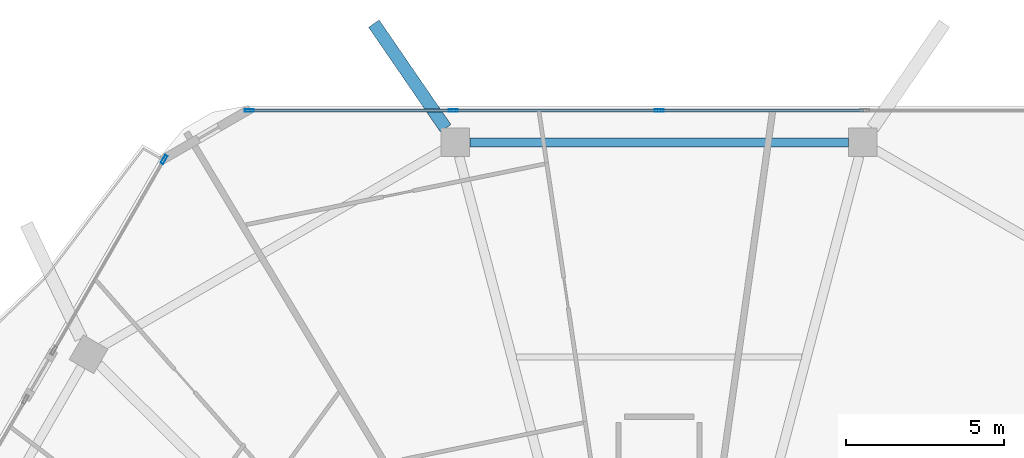
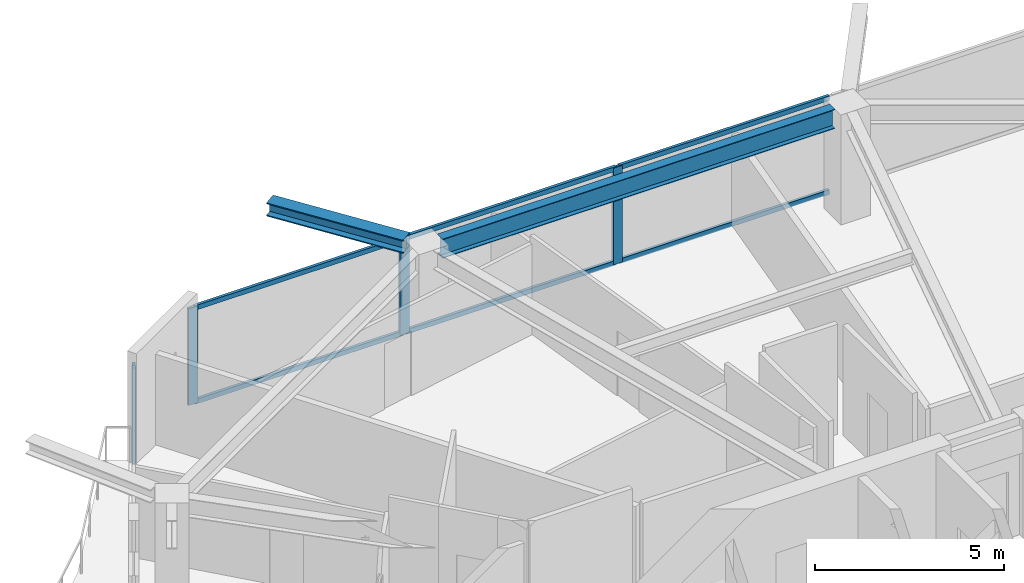
# One storey, part 13 of 25: 10 members, 2 beams, 2 elements without a shape of their own.
"""IFC4 building model written with IfcOpenShell, lengths in metres."""

import ifcopenshell
import ifcopenshell.guid

model = None  # the IFC model being written
_history = None  # IfcOwnerHistory: only IFC2X3 demands one
_inside = {}  # id of a spatial element -> (the spatial element, [elements in it])
_under = {}  # id of a project, library or spatial element -> (it, [spatial elements below it])
_declared = {}  # id of a project -> (the project, [libraries it declares])
_typed = {}  # id of a type object -> (the type object, [elements of that type])
_made_of = {}  # id of a material, layer set ... -> (it, [elements and type objects made of it])


def new_model(schema):
    """Start an empty IFC model of exactly this schema.

    Asked for "IFC4X3", IfcOpenShell would pick the latest addendum, in which some entities
    have other attributes; the version numbers below select the first issue.
    IFC2X3 requires an IfcOwnerHistory on every rooted entity: one is made here for all.
    """
    global model, _history
    if schema == "IFC4X3":
        model = ifcopenshell.file(schema_version=(4, 3, 0, 0))
    else:
        model = ifcopenshell.file(schema=schema)
    _inside.clear()
    _under.clear()
    _declared.clear()
    _typed.clear()
    _made_of.clear()
    _history = None
    if model.schema == "IFC2X3":
        org = make("IfcOrganization", Name="unknown")
        user = make(
            "IfcPersonAndOrganization",
            ThePerson=make("IfcPerson", FamilyName="unknown"),
            TheOrganization=org,
        )
        app = make(
            "IfcApplication",
            ApplicationDeveloper=org,
            Version="unknown",
            ApplicationFullName="unknown",
            ApplicationIdentifier="unknown",
        )
        _history = make(
            "IfcOwnerHistory",
            OwningUser=user,
            OwningApplication=app,
            ChangeAction="ADDED",
            CreationDate=0,
        )
    return model


def make(cls, **values):
    """One entity of the class cls with the attributes given. An attribute that is None is left unset."""
    return model.create_entity(
        cls, **{name: value for name, value in values.items() if value is not None}
    )


def rooted(cls, **values):
    """An entity with a GlobalId (a new one), such as an element, a storey or a relation."""
    return make(cls, GlobalId=ifcopenshell.guid.new(), OwnerHistory=_history, **values)


def si_unit(unit_type, name, prefix=None):
    """IfcSIUnit, for example si_unit("LENGTHUNIT", "METRE", prefix="MILLI")."""
    return make("IfcSIUnit", UnitType=unit_type, Prefix=prefix, Name=name)


def assignment(units):
    """IfcUnitAssignment: the units of a project."""
    return None if units is None else make("IfcUnitAssignment", Units=units)


def point(xyz):
    """IfcCartesianPoint."""
    return None if xyz is None else make("IfcCartesianPoint", Coordinates=xyz)


def direction(xyz):
    """IfcDirection."""
    return None if xyz is None else make("IfcDirection", DirectionRatios=xyz)


def frame(location, z_axis=None, x_axis=None):
    """IfcAxis2Placement3D, a coordinate frame: its origin and axes. An axis left out is left unset."""
    return make(
        "IfcAxis2Placement3D",
        Location=point(location),
        Axis=direction(z_axis),
        RefDirection=direction(x_axis),
    )


def frame_2d(location, x_axis=None):
    """IfcAxis2Placement2D, a coordinate frame in the plane: its origin and x axis."""
    return make(
        "IfcAxis2Placement2D", Location=point(location), RefDirection=direction(x_axis)
    )


def origin():
    """The frame at (0, 0, 0) with its axes left unset."""
    return frame((0.0, 0.0, 0.0))


def origin_2d():
    """The frame at (0, 0) in the plane with its x axis left unset."""
    return frame_2d((0.0, 0.0))


def place(relative_to, where):
    """IfcLocalPlacement: puts the frame where relative to a parent placement (None: the world)."""
    return make(
        "IfcLocalPlacement", PlacementRelTo=relative_to, RelativePlacement=where
    )


def context(
    kind, dimensions, precision=None, world=None, true_north=None, identifier=None
):
    """IfcGeometricRepresentationContext, for example the 3D "Model" context."""
    return make(
        "IfcGeometricRepresentationContext",
        ContextIdentifier=identifier,
        ContextType=kind,
        CoordinateSpaceDimension=dimensions,
        Precision=precision,
        WorldCoordinateSystem=world,
        TrueNorth=true_north,
    )


def subcontext(parent, identifier, kind, view, scale=None):
    """IfcGeometricRepresentationSubContext, for example "Body" below "Model"."""
    return make(
        "IfcGeometricRepresentationSubContext",
        ContextIdentifier=identifier,
        ContextType=kind,
        ParentContext=parent,
        TargetScale=scale,
        TargetView=view,
    )


def project(units=None, contexts=None):
    """IfcProject with its units and contexts."""
    return rooted(
        "IfcProject",
        Name="project",
        RepresentationContexts=contexts,
        UnitsInContext=assignment(units),
    )


def spatial(cls, under=None, at=None, **own):
    """A site, building, storey or space (cls), placed at a placement, below another one or the project."""
    s = rooted(cls, ObjectPlacement=at, **own)
    if under is not None:
        _under.setdefault(under.id(), (under, []))[1].append(s)
    return s


def profile(cls, at=None, kind="AREA", **sizes):
    """A parametric profile (cls). Its sizes go by their IFC names, for example OverallWidth=200.0."""
    return make(cls, ProfileType=kind, Position=at, **sizes)


def hollow_rectangle(**sizes):
    """IfcRectangleHollowProfileDef."""
    return profile("IfcRectangleHollowProfileDef", **sizes)


def i_section(**sizes):
    """IfcIShapeProfileDef."""
    return profile("IfcIShapeProfileDef", **sizes)


def extrude(swept, where, along, depth):
    """IfcExtrudedAreaSolid: the profile swept, set in the frame where, extruded along a direction by depth."""
    return make(
        "IfcExtrudedAreaSolid",
        SweptArea=swept,
        Position=where,
        ExtrudedDirection=direction(along),
        Depth=depth,
    )


def shape(context_of_items, identifier, shape_type, items):
    """IfcShapeRepresentation: the items that make up one representation, for example the "Body"."""
    return make(
        "IfcShapeRepresentation",
        ContextOfItems=context_of_items,
        RepresentationIdentifier=identifier,
        RepresentationType=shape_type,
        Items=items,
    )


def material(Name=None, Category=None):
    """IfcMaterial."""
    return make("IfcMaterial", Name=Name, Category=Category)


def material_profile(
    of_material, cross_section, Name=None, Category=None, Priority=None
):
    """IfcMaterialProfile: a cross section and its material."""
    return make(
        "IfcMaterialProfile",
        Name=Name,
        Material=of_material,
        Profile=cross_section,
        Priority=Priority,
        Category=Category,
    )


def profile_set(profiles, Name=None, composite=None):
    """IfcMaterialProfileSet."""
    return make(
        "IfcMaterialProfileSet",
        Name=Name,
        MaterialProfiles=profiles,
        CompositeProfile=composite,
    )


def made_of(thing, what):
    """Note that an element or type object is made of a material, layer set ...; save() writes the relation."""
    if what is not None:
        _made_of.setdefault(what.id(), (what, []))[1].append(thing)
    return thing


def type_object(cls, material=None, **own):
    """A type object (cls), such as IfcWallType, which elements share."""
    return made_of(rooted(cls, **own), material)


def element(
    cls,
    number,
    at=None,
    inside=None,
    cuts=None,
    type_object=None,
    material=None,
    context=None,
    identifier="Body",
    shape_type=None,
    held_by="IfcProductDefinitionShape",
    body=None,
    shapes=None,
    **own,
):
    """One element of the class cls, such as IfcWall. Its Tag is "e" and its number.

    at: its placement. inside: the storey or other place that contains it. cuts: it is an
    opening in that element (IfcRelVoidsElement). A single representation is given by context,
    identifier, shape_type and body (its items); several are given by shapes. held_by: the class
    of the entity that holds the representations. save() writes the other relations.
    """
    e = rooted(cls, Tag="e%d" % number, ObjectPlacement=at, **own)
    if body is not None:
        shapes = [shape(context, identifier, shape_type, body)]
    if shapes is not None:
        e.Representation = make(held_by, Representations=shapes)
    if inside is not None:
        _inside.setdefault(inside.id(), (inside, []))[1].append(e)
    if cuts is not None:
        rooted(
            "IfcRelVoidsElement", RelatingBuildingElement=cuts, RelatedOpeningElement=e
        )
    if type_object is not None:
        _typed.setdefault(type_object.id(), (type_object, []))[1].append(e)
    return made_of(e, material)


def aggregate(whole, parts):
    """IfcRelAggregates: a whole, such as a stair, and the parts it consists of."""
    return rooted("IfcRelAggregates", RelatingObject=whole, RelatedObjects=parts)


def save(model, path):
    """Write the relations noted so far, then the file.

    IfcRelAggregates (storeys below a building ...), IfcRelContainedInSpatialStructure (elements
    in a storey), IfcRelDefinesByType, IfcRelAssociatesMaterial and IfcRelDeclares: one each for
    every whole, place, type object, material and project.
    """
    for whole, parts in _under.values():
        aggregate(whole, parts)
    for where, things in _inside.values():
        rooted(
            "IfcRelContainedInSpatialStructure",
            RelatedElements=things,
            RelatingStructure=where,
        )
    for kind, things in _typed.values():
        rooted("IfcRelDefinesByType", RelatedObjects=things, RelatingType=kind)
    for what, things in _made_of.values():
        rooted("IfcRelAssociatesMaterial", RelatedObjects=things, RelatingMaterial=what)
    for by, libraries in _declared.values():
        rooted("IfcRelDeclares", RelatingContext=by, RelatedDefinitions=libraries)
    model.write(path)


model = new_model("IFC4")

# Units and contexts
model_context = context("Model", 3, precision=1e-05, world=origin(), true_north=direction((0.0, 1.0)))
body_context = subcontext(model_context, "Body", "Model", "MODEL_VIEW")
ifc_project = project(units=[si_unit("LENGTHUNIT", "METRE"), si_unit("AREAUNIT", "SQUARE_METRE"), si_unit("VOLUMEUNIT", "CUBIC_METRE"), si_unit("PLANEANGLEUNIT", "RADIAN"), si_unit("MASSUNIT", "GRAM", prefix="KILO")], contexts=[model_context])

# Site, building, storey
site_placement = place(None, origin())
site = spatial("IfcSite", under=ifc_project, at=site_placement, CompositionType="ELEMENT")
building_placement = place(site_placement, origin())
building = spatial("IfcBuilding", under=site, at=building_placement, Name="Zuhravey Tower", CompositionType="ELEMENT")
storey_placement = place(building_placement, frame((0.0, 0.0, 257.800048828125)))
storey = spatial("IfcBuildingStorey", under=building, at=storey_placement, Name="L65", CompositionType="ELEMENT", Elevation=257.800048828125)

# Curtain wall, member
ifc_material_1 = material(Name="Thermally broken anodised aluminium", Category="aluminium")
curtain_wall_type = type_object("IfcCurtainWallType", Name="Zone 3-4 High-Rise Curtain Wall CW4", PredefinedType="NOTDEFINED", material=ifc_material_1)
curtain_wall_1_placement = place(storey_placement, origin())
curtain_wall_1 = element("IfcCurtainWall", 1, at=curtain_wall_1_placement, inside=storey, type_object=curtain_wall_type, Name="L65 CW4 CW-L65-F3-2", PredefinedType="NOTDEFINED")
ifc_material_2 = material(Name="Anodised aluminium", Category="aluminium")
ifc_material_profile_1 = material_profile(ifc_material_2, hollow_rectangle(XDim=0.090087890625, YDim=0.284912109375, WallThickness=0.0048828125, at=origin_2d()), Name="ALU-RHS-90x285x5")
ifc_profile_set_1 = profile_set([ifc_material_profile_1], Name="Anodised aluminium")
member_type_1 = type_object("IfcMemberType", Name="Curtain-Wall Mullion 90x180", PredefinedType="MULLION", material=ifc_profile_set_1)
member_1_placement = place(storey_placement, frame((20.34521484375, 56.01220703125, 0.0), z_axis=(0.0, 0.0, 1.0), x_axis=(-0.866025721766, 0.49999944924, 0.0)))
member_1 = element("IfcMember", 2, at=member_1_placement, type_object=member_type_1, Name="CW4 mullion 2", PredefinedType="MULLION", context=body_context, shape_type="SweptSolid", body=[
    extrude(hollow_rectangle(XDim=0.090087890625, YDim=0.284912109375, WallThickness=0.0048828125, at=origin_2d()), origin(), (0.0, 0.0, 1.0), 3.1220703125),
])
aggregate(curtain_wall_1, [member_1])

# Curtain wall, members
curtain_wall_2_placement = place(storey_placement, origin())
curtain_wall_2 = element("IfcCurtainWall", 3, at=curtain_wall_2_placement, inside=storey, type_object=curtain_wall_type, Name="L65 CW4 CW-L65-F2-1", PredefinedType="NOTDEFINED")
member_2_placement = place(storey_placement, frame((23.0322265625, 57.563720703125, 0.0), z_axis=(0.0, 0.0, 1.0), x_axis=(0.0, 1.0, 0.0)))
member_2 = element("IfcMember", 4, at=member_2_placement, type_object=member_type_1, Name="CW4 mullion 1", PredefinedType="MULLION", context=body_context, shape_type="SweptSolid", body=[
    extrude(hollow_rectangle(XDim=0.090087890625, YDim=0.284912109375, WallThickness=0.0048828125, at=origin_2d()), origin(), (0.0, 0.0, 1.0), 3.1220703125),
])
member_3_placement = place(storey_placement, frame((29.49365234375, 57.563720703125, 0.0), z_axis=(0.0, 0.0, 1.0), x_axis=(0.0, 1.0, 0.0)))
member_3 = element("IfcMember", 5, at=member_3_placement, type_object=member_type_1, Name="CW4 mullion 2", PredefinedType="MULLION", context=body_context, shape_type="SweptSolid", body=[
    extrude(hollow_rectangle(XDim=0.090087890625, YDim=0.284912109375, WallThickness=0.0048828125, at=origin_2d()), origin(), (0.0, 0.0, 1.0), 3.1220703125),
])
member_4_placement = place(storey_placement, frame((36.0, 57.563720703125, 0.0), z_axis=(0.0, 0.0, 1.0), x_axis=(0.0, 1.0, 0.0)))
member_4 = element("IfcMember", 6, at=member_4_placement, type_object=member_type_1, Name="CW4 mullion 3", PredefinedType="MULLION", context=body_context, shape_type="SweptSolid", body=[
    extrude(hollow_rectangle(XDim=0.090087890625, YDim=0.284912109375, WallThickness=0.0048828125, at=origin_2d()), origin(), (0.0, 0.0, 1.0), 3.1220703125),
])
ifc_material_profile_2 = material_profile(ifc_material_2, hollow_rectangle(XDim=0.090087890625, YDim=0.14990234375, WallThickness=0.0048828125, at=origin_2d()), Name="ALU-RHS-90x150x5")
ifc_profile_set_2 = profile_set([ifc_material_profile_2], Name="Anodised aluminium")
member_type_2 = type_object("IfcMemberType", Name="Curtain-Wall Transom 90x150", PredefinedType="USERDEFINED", material=ifc_profile_set_2)
member_5_placement = place(storey_placement, frame((23.077392578125, 57.563720703125, 0.044921875), z_axis=(1.0, 0.0, 0.0), x_axis=(0.0, 1.0, 0.0)))
member_5 = element("IfcMember", 7, at=member_5_placement, type_object=member_type_2, Name="CW4 transom 1.1", ObjectType="TRANSOM", PredefinedType="USERDEFINED", context=body_context, shape_type="SweptSolid", body=[
    extrude(hollow_rectangle(XDim=0.090087890625, YDim=0.14990234375, WallThickness=0.0048828125, at=origin_2d()), origin(), (0.0, 0.0, 1.0), 6.371337890625),
])
member_6_placement = place(storey_placement, frame((23.077392578125, 57.563720703125, 3.076904296875), z_axis=(1.0, 0.0, 0.0), x_axis=(0.0, 1.0, 0.0)))
member_6 = element("IfcMember", 8, at=member_6_placement, type_object=member_type_2, Name="CW4 transom 1.2", ObjectType="TRANSOM", PredefinedType="USERDEFINED", context=body_context, shape_type="SweptSolid", body=[
    extrude(hollow_rectangle(XDim=0.090087890625, YDim=0.14990234375, WallThickness=0.0048828125, at=origin_2d()), origin(), (0.0, 0.0, 1.0), 6.371337890625),
])
member_7_placement = place(storey_placement, frame((29.53857421875, 57.563720703125, 0.044921875), z_axis=(1.0, 0.0, 0.0), x_axis=(0.0, 1.0, 0.0)))
member_7 = element("IfcMember", 9, at=member_7_placement, type_object=member_type_2, Name="CW4 transom 2.1", ObjectType="TRANSOM", PredefinedType="USERDEFINED", context=body_context, shape_type="SweptSolid", body=[
    extrude(hollow_rectangle(XDim=0.090087890625, YDim=0.14990234375, WallThickness=0.0048828125, at=origin_2d()), origin(), (0.0, 0.0, 1.0), 6.41650390625),
])
member_8_placement = place(storey_placement, frame((29.53857421875, 57.563720703125, 3.076904296875), z_axis=(1.0, 0.0, 0.0), x_axis=(0.0, 1.0, 0.0)))
member_8 = element("IfcMember", 10, at=member_8_placement, type_object=member_type_2, Name="CW4 transom 2.2", ObjectType="TRANSOM", PredefinedType="USERDEFINED", context=body_context, shape_type="SweptSolid", body=[
    extrude(hollow_rectangle(XDim=0.090087890625, YDim=0.14990234375, WallThickness=0.0048828125, at=origin_2d()), origin(), (0.0, 0.0, 1.0), 6.41650390625),
])
member_9_placement = place(storey_placement, frame((36.044921875, 57.563720703125, 0.044921875), z_axis=(1.0, 0.0, 0.0), x_axis=(0.0, 1.0, 0.0)))
member_9 = element("IfcMember", 11, at=member_9_placement, type_object=member_type_2, Name="CW4 transom 3.1", ObjectType="TRANSOM", PredefinedType="USERDEFINED", context=body_context, shape_type="SweptSolid", body=[
    extrude(hollow_rectangle(XDim=0.090087890625, YDim=0.14990234375, WallThickness=0.0048828125, at=origin_2d()), origin(), (0.0, 0.0, 1.0), 6.41650390625),
])
member_10_placement = place(storey_placement, frame((36.044921875, 57.563720703125, 3.076904296875), z_axis=(1.0, 0.0, 0.0), x_axis=(0.0, 1.0, 0.0)))
member_10 = element("IfcMember", 12, at=member_10_placement, type_object=member_type_2, Name="CW4 transom 3.2", ObjectType="TRANSOM", PredefinedType="USERDEFINED", context=body_context, shape_type="SweptSolid", body=[
    extrude(hollow_rectangle(XDim=0.090087890625, YDim=0.14990234375, WallThickness=0.0048828125, at=origin_2d()), origin(), (0.0, 0.0, 1.0), 6.41650390625),
])
aggregate(curtain_wall_2, [member_2, member_3, member_4, member_5, member_6, member_7, member_8, member_9, member_10])

# Beams
ifc_material_3 = material(Name="Steel SM460", Category="steel")
ifc_material_profile_3 = material_profile(ifc_material_3, i_section(OverallWidth=0.406982421875, OverallDepth=0.427978515625, WebThickness=0.02001953125, FlangeThickness=0.034912109375, at=origin_2d()), Name="H-428x407x20x35")
ifc_profile_set_3 = profile_set([ifc_material_profile_3], Name="Steel SM460")
beam_type_1 = type_object("IfcBeamType", Name="Exoskeleton Node Tie Beam H428x407", PredefinedType="BEAM", material=ifc_profile_set_3)
beam_1_placement = place(storey_placement, frame((29.247802734375, 57.0068359375, 3.3359375), z_axis=(-0.565936679704, 0.824448709481, 0.0), x_axis=(-0.824448709481, -0.565936679704, 0.0)))
element("IfcBeam", 13, at=beam_1_placement, inside=storey, type_object=beam_type_1, Name="L65 Exoskeleton Node Tie NT1-04", PredefinedType="BEAM", context=body_context, shape_type="SweptSolid", body=[
    extrude(i_section(OverallWidth=0.406982421875, OverallDepth=0.427978515625, WebThickness=0.02001953125, FlangeThickness=0.034912109375, at=origin_2d()), origin(), (0.0, 0.0, 1.0), 4.008056640625),
])
ifc_material_4 = material(Name="Steel SM355", Category="steel")
ifc_material_profile_4 = material_profile(ifc_material_4, i_section(OverallWidth=0.280029296875, OverallDepth=0.6201171875, WebThickness=0.011962890625, FlangeThickness=0.02001953125, at=origin_2d()), Name="H-620x280x12x20")
ifc_profile_set_4 = profile_set([ifc_material_profile_4], Name="Steel SM355")
beam_type_2 = type_object("IfcBeamType", Name="Perimeter Ring Beam H620x280", PredefinedType="BEAM", material=ifc_profile_set_4)
beam_2_placement = place(storey_placement, frame((41.98779296875, 56.5537109375, 3.239990234375), z_axis=(-1.0, 0.0, 0.0), x_axis=(0.0, -1.0, 0.0)))
element("IfcBeam", 14, at=beam_2_placement, inside=storey, type_object=beam_type_2, Name="L65 PB3 BM-L65-PB-03", PredefinedType="BEAM", context=body_context, shape_type="SweptSolid", body=[
    extrude(i_section(OverallWidth=0.280029296875, OverallDepth=0.6201171875, WebThickness=0.011962890625, FlangeThickness=0.02001953125, at=origin_2d()), origin(), (0.0, 0.0, 1.0), 11.9755859375),
])

save(model, "model.ifc")
